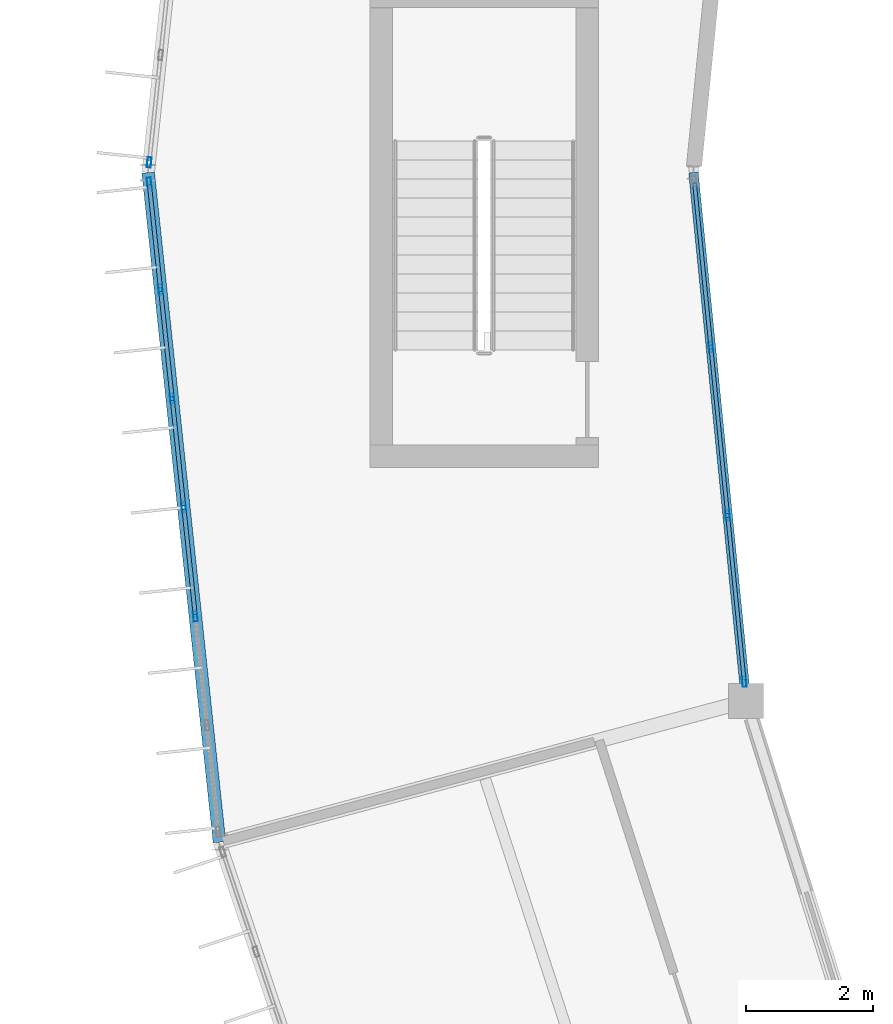
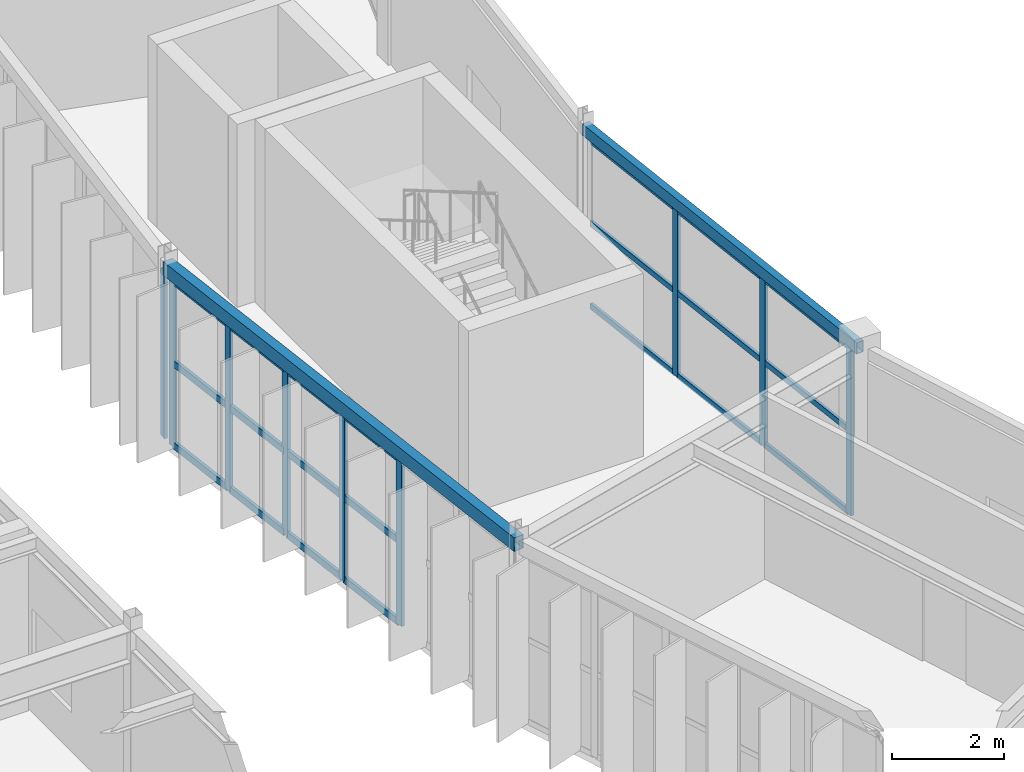
# One storey, part 51 of 157: 30 members, 2 beams, 3 elements without a shape of their own.
"""IFC4 building model written with IfcOpenShell, lengths in metres."""

from ifc_helpers import new_model, si_unit, direction, frame, origin, origin_2d, place, context, subcontext, project, spatial, hollow_rectangle, extrude, material, material_profile, profile_set, type_object, element, aggregate, save


model = new_model("IFC4")

# Units and contexts
model_context = context("Model", 3, precision=1e-05, world=origin(), true_north=direction((0.0, 1.0)))
body_context = subcontext(model_context, "Body", "Model", "MODEL_VIEW")
ifc_project = project(units=[si_unit("LENGTHUNIT", "METRE"), si_unit("AREAUNIT", "SQUARE_METRE"), si_unit("VOLUMEUNIT", "CUBIC_METRE"), si_unit("PLANEANGLEUNIT", "RADIAN"), si_unit("MASSUNIT", "GRAM", prefix="KILO")], contexts=[model_context])

# Site, building, storey
site_placement = place(None, origin())
site = spatial("IfcSite", under=ifc_project, at=site_placement, CompositionType="ELEMENT")
building_placement = place(site_placement, origin())
building = spatial("IfcBuilding", under=site, at=building_placement, Name="Karori Crest Natural Sciences Institute", CompositionType="ELEMENT")
storey_placement = place(building_placement, frame((0.0, 0.0, 13.300048828125)))
storey = spatial("IfcBuildingStorey", under=building, at=storey_placement, Name="L03", CompositionType="ELEMENT", Elevation=13.300048828125)

# Beams
ifc_material_1 = material(Name="Hollow structural steel AS/NZS 1163 Grade C350", Category="steel")
ifc_material_profile_1 = material_profile(ifc_material_1, hollow_rectangle(XDim=0.199951171875, YDim=0.300048828125, WallThickness=0.010009765625, at=origin_2d()), Name="RHS300x200x10")
ifc_profile_set_1 = profile_set([ifc_material_profile_1], Name="Hollow structural steel AS/NZS 1163 Grade C350")
beam_type_1 = type_object("IfcBeamType", Name="BT-15", PredefinedType="SPANDREL", material=ifc_profile_set_1)
beam_1_placement = place(storey_placement, frame((33.39990234375, 49.89990234375, 3.7900390625), z_axis=(0.105891010563, -0.994377742049, 0.0), x_axis=(0.994377742049, 0.105891010563, 0.0)))
element("IfcBeam", 1, at=beam_1_placement, inside=storey, type_object=beam_type_1, Name="Beam B-0406", PredefinedType="SPANDREL", context=body_context, shape_type="SweptSolid", body=[
    extrude(hollow_rectangle(XDim=0.199951171875, YDim=0.300048828125, WallThickness=0.010009765625, at=origin_2d()), origin(), (0.0, 0.0, 1.0), 10.61962890625),
])
ifc_material_profile_2 = material_profile(ifc_material_1, hollow_rectangle(XDim=0.14990234375, YDim=0.25, WallThickness=0.009033203125, at=origin_2d()), Name="RHS250x150x9")
ifc_profile_set_2 = profile_set([ifc_material_profile_2], Name="Hollow structural steel AS/NZS 1163 Grade C350")
beam_type_2 = type_object("IfcBeamType", Name="BT-16", PredefinedType="SPANDREL", material=ifc_profile_set_2)
beam_2_placement = place(storey_placement, frame((42.0, 49.89990234375, 3.7900390625), z_axis=(0.099255508608, -0.995061979985, 0.0), x_axis=(0.995061979985, 0.099255508608, 0.0)))
element("IfcBeam", 2, at=beam_2_placement, inside=storey, type_object=beam_type_2, Name="Beam B-0407", PredefinedType="SPANDREL", context=body_context, shape_type="SweptSolid", body=[
    extrude(hollow_rectangle(XDim=0.14990234375, YDim=0.25, WallThickness=0.009033203125, at=origin_2d()), origin(), (0.0, 0.0, 1.0), 8.375244140625),
])

# Curtain wall, member
ifc_material_2 = material(Name="Anodised architectural aluminium 6063-T6", Category="aluminium")
curtain_wall_type_1 = type_object("IfcCurtainWallType", Name="CWT-02", PredefinedType="NOTDEFINED", material=ifc_material_2)
curtain_wall_1_placement = place(storey_placement, origin())
curtain_wall_1 = element("IfcCurtainWall", 3, at=curtain_wall_1_placement, inside=storey, type_object=curtain_wall_type_1, Name="Curtain wall CW-0117", PredefinedType="NOTDEFINED")
ifc_material_profile_3 = material_profile(ifc_material_2, hollow_rectangle(XDim=0.06494140625, YDim=0.159912109375, WallThickness=0.00390625, at=origin_2d()), Name="CWM160x65x4")
ifc_profile_set_3 = profile_set([ifc_material_profile_3], Name="Anodised architectural aluminium 6063-T6")
member_type_1 = type_object("IfcMemberType", Name="CWM-01", PredefinedType="MULLION", material=ifc_profile_set_3)
member_1_placement = place(storey_placement, frame((33.4169921875, 50.060302734375, 0.0), z_axis=(0.0, 0.0, 1.0), x_axis=(-0.994378309998, 0.105885677057, 0.0)))
member_1 = element("IfcMember", 4, at=member_1_placement, type_object=member_type_1, Name="CW-0117 mullion 1", PredefinedType="MULLION", context=body_context, shape_type="SweptSolid", body=[
    extrude(hollow_rectangle(XDim=0.06494140625, YDim=0.159912109375, WallThickness=0.00390625, at=origin_2d()), origin(), (0.0, 0.0, 1.0), 3.625),
])
aggregate(curtain_wall_1, [member_1])

# Curtain wall, members
curtain_wall_type_2 = type_object("IfcCurtainWallType", Name="CWT-03", PredefinedType="NOTDEFINED", material=ifc_material_2)
curtain_wall_2_placement = place(storey_placement, origin())
curtain_wall_2 = element("IfcCurtainWall", 5, at=curtain_wall_2_placement, inside=storey, type_object=curtain_wall_type_2, Name="Curtain wall CW-0118", PredefinedType="NOTDEFINED")
member_2_placement = place(storey_placement, frame((34.145263671875, 42.90087890625, 0.0), z_axis=(0.0, 0.0, 1.0), x_axis=(-0.994378435661, -0.105884496939, 0.0)))
member_2 = element("IfcMember", 6, at=member_2_placement, type_object=member_type_1, Name="CW-0118 mullion 3", PredefinedType="MULLION", context=body_context, shape_type="SweptSolid", body=[
    extrude(hollow_rectangle(XDim=0.06494140625, YDim=0.159912109375, WallThickness=0.00390625, at=origin_2d()), origin(), (0.0, 0.0, 1.0), 3.625),
])
member_3_placement = place(storey_placement, frame((33.96240234375, 44.61865234375, 0.0), z_axis=(0.0, 0.0, 1.0), x_axis=(-0.994378435661, -0.105884496939, 0.0)))
member_3 = element("IfcMember", 7, at=member_3_placement, type_object=member_type_1, Name="CW-0118 mullion 4", PredefinedType="MULLION", context=body_context, shape_type="SweptSolid", body=[
    extrude(hollow_rectangle(XDim=0.06494140625, YDim=0.159912109375, WallThickness=0.00390625, at=origin_2d()), origin(), (0.0, 0.0, 1.0), 3.625),
])
member_4_placement = place(storey_placement, frame((33.779541015625, 46.33642578125, 0.0), z_axis=(0.0, 0.0, 1.0), x_axis=(-0.994378435661, -0.105884496939, 0.0)))
member_4 = element("IfcMember", 8, at=member_4_placement, type_object=member_type_1, Name="CW-0118 mullion 5", PredefinedType="MULLION", context=body_context, shape_type="SweptSolid", body=[
    extrude(hollow_rectangle(XDim=0.06494140625, YDim=0.159912109375, WallThickness=0.00390625, at=origin_2d()), origin(), (0.0, 0.0, 1.0), 3.625),
])
member_5_placement = place(storey_placement, frame((33.596435546875, 48.05419921875, 0.0), z_axis=(0.0, 0.0, 1.0), x_axis=(-0.994378435661, -0.105884496939, 0.0)))
member_5 = element("IfcMember", 9, at=member_5_placement, type_object=member_type_1, Name="CW-0118 mullion 6", PredefinedType="MULLION", context=body_context, shape_type="SweptSolid", body=[
    extrude(hollow_rectangle(XDim=0.06494140625, YDim=0.159912109375, WallThickness=0.00390625, at=origin_2d()), origin(), (0.0, 0.0, 1.0), 3.625),
])
member_6_placement = place(storey_placement, frame((33.4169921875, 49.73974609375, 0.0), z_axis=(0.0, 0.0, 1.0), x_axis=(-0.994378435661, -0.105884496939, 0.0)))
member_6 = element("IfcMember", 10, at=member_6_placement, type_object=member_type_1, Name="CW-0118 mullion 7", PredefinedType="MULLION", context=body_context, shape_type="SweptSolid", body=[
    extrude(hollow_rectangle(XDim=0.06494140625, YDim=0.159912109375, WallThickness=0.00390625, at=origin_2d()), origin(), (0.0, 0.0, 1.0), 3.625),
])

curtain_wall_type_3 = type_object("IfcCurtainWallType", Name="CWT-13", PredefinedType="NOTDEFINED", material=ifc_material_2)
curtain_wall_3_placement = place(storey_placement, origin())
curtain_wall_3 = element("IfcCurtainWall", 11, at=curtain_wall_3_placement, inside=storey, type_object=curtain_wall_type_3, Name="Curtain wall CW-0119", PredefinedType="NOTDEFINED")
member_7_placement = place(storey_placement, frame((42.27490234375, 47.144287109375, 0.0), z_axis=(0.0, 0.0, 1.0), x_axis=(0.995060684604, 0.099268494275, 0.0)))
member_7 = element("IfcMember", 12, at=member_7_placement, type_object=member_type_1, Name="CW-0119 mullion 2", PredefinedType="MULLION", context=body_context, shape_type="SweptSolid", body=[
    extrude(hollow_rectangle(XDim=0.06494140625, YDim=0.159912109375, WallThickness=0.00390625, at=origin_2d()), origin(), (0.0, 0.0, 1.0), 3.64990234375),
])
member_8_placement = place(storey_placement, frame((42.53955078125, 44.49169921875, 0.0), z_axis=(0.0, 0.0, 1.0), x_axis=(0.995060684604, 0.099268494275, 0.0)))
member_8 = element("IfcMember", 13, at=member_8_placement, type_object=member_type_1, Name="CW-0119 mullion 3", PredefinedType="MULLION", context=body_context, shape_type="SweptSolid", body=[
    extrude(hollow_rectangle(XDim=0.06494140625, YDim=0.159912109375, WallThickness=0.00390625, at=origin_2d()), origin(), (0.0, 0.0, 1.0), 3.64990234375),
])
member_9_placement = place(storey_placement, frame((42.801025390625, 41.871337890625, 0.0), z_axis=(0.0, 0.0, 1.0), x_axis=(0.995060684604, 0.099268494275, 0.0)))
member_9 = element("IfcMember", 14, at=member_9_placement, type_object=member_type_1, Name="CW-0119 mullion 4", PredefinedType="MULLION", context=body_context, shape_type="SweptSolid", body=[
    extrude(hollow_rectangle(XDim=0.06494140625, YDim=0.159912109375, WallThickness=0.00390625, at=origin_2d()), origin(), (0.0, 0.0, 1.0), 3.64990234375),
])
ifc_material_profile_4 = material_profile(ifc_material_2, hollow_rectangle(XDim=0.06005859375, YDim=0.1201171875, WallThickness=0.00390625, at=origin_2d()), Name="CWT120x60x4")
ifc_profile_set_4 = profile_set([ifc_material_profile_4], Name="Anodised architectural aluminium 6063-T6")
member_type_2 = type_object("IfcMemberType", Name="CWT-TR1", PredefinedType="USERDEFINED", material=ifc_profile_set_4)
member_10_placement = place(storey_placement, frame((42.016845703125, 49.732421875, 0.030029296875), z_axis=(0.099240189366, -0.99506350793, 0.0), x_axis=(0.99506350793, 0.099240189366, 0.0)))
member_10 = element("IfcMember", 15, at=member_10_placement, type_object=member_type_2, Name="CW-0119 transom 1.1", ObjectType="TRANSOM", PredefinedType="USERDEFINED", context=body_context, shape_type="SweptSolid", body=[
    extrude(hollow_rectangle(XDim=0.06005859375, YDim=0.1201171875, WallThickness=0.00390625, at=origin_2d()), origin(), (0.0, 0.0, 1.0), 2.568359375),
])
member_11_placement = place(storey_placement, frame((42.016845703125, 49.732421875, 1.824951171875), z_axis=(0.099240189366, -0.99506350793, 0.0), x_axis=(0.99506350793, 0.099240189366, 0.0)))
member_11 = element("IfcMember", 16, at=member_11_placement, type_object=member_type_2, Name="CW-0119 transom 1.2", ObjectType="TRANSOM", PredefinedType="USERDEFINED", context=body_context, shape_type="SweptSolid", body=[
    extrude(hollow_rectangle(XDim=0.06005859375, YDim=0.1201171875, WallThickness=0.00390625, at=origin_2d()), origin(), (0.0, 0.0, 1.0), 2.568359375),
])
member_12_placement = place(storey_placement, frame((42.016845703125, 49.732421875, 3.619873046875), z_axis=(0.099240189366, -0.99506350793, 0.0), x_axis=(0.99506350793, 0.099240189366, 0.0)))
member_12 = element("IfcMember", 17, at=member_12_placement, type_object=member_type_2, Name="CW-0119 transom 1.3", ObjectType="TRANSOM", PredefinedType="USERDEFINED", context=body_context, shape_type="SweptSolid", body=[
    extrude(hollow_rectangle(XDim=0.06005859375, YDim=0.1201171875, WallThickness=0.00390625, at=origin_2d()), origin(), (0.0, 0.0, 1.0), 2.568359375),
])
member_13_placement = place(storey_placement, frame((42.278076171875, 47.112060546875, 0.030029296875), z_axis=(0.099308553467, -0.995056687435, 0.0), x_axis=(0.995056687435, 0.099308553467, 0.0)))
member_13 = element("IfcMember", 18, at=member_13_placement, type_object=member_type_2, Name="CW-0119 transom 2.1", ObjectType="TRANSOM", PredefinedType="USERDEFINED", context=body_context, shape_type="SweptSolid", body=[
    extrude(hollow_rectangle(XDim=0.06005859375, YDim=0.1201171875, WallThickness=0.00390625, at=origin_2d()), origin(), (0.0, 0.0, 1.0), 2.60107421875),
])
member_14_placement = place(storey_placement, frame((42.278076171875, 47.112060546875, 1.824951171875), z_axis=(0.099308553467, -0.995056687435, 0.0), x_axis=(0.995056687435, 0.099308553467, 0.0)))
member_14 = element("IfcMember", 19, at=member_14_placement, type_object=member_type_2, Name="CW-0119 transom 2.2", ObjectType="TRANSOM", PredefinedType="USERDEFINED", context=body_context, shape_type="SweptSolid", body=[
    extrude(hollow_rectangle(XDim=0.06005859375, YDim=0.1201171875, WallThickness=0.00390625, at=origin_2d()), origin(), (0.0, 0.0, 1.0), 2.60107421875),
])
member_15_placement = place(storey_placement, frame((42.278076171875, 47.112060546875, 3.619873046875), z_axis=(0.099308553467, -0.995056687435, 0.0), x_axis=(0.995056687435, 0.099308553467, 0.0)))
member_15 = element("IfcMember", 20, at=member_15_placement, type_object=member_type_2, Name="CW-0119 transom 2.3", ObjectType="TRANSOM", PredefinedType="USERDEFINED", context=body_context, shape_type="SweptSolid", body=[
    extrude(hollow_rectangle(XDim=0.06005859375, YDim=0.1201171875, WallThickness=0.00390625, at=origin_2d()), origin(), (0.0, 0.0, 1.0), 2.60107421875),
])
member_16_placement = place(storey_placement, frame((42.542724609375, 44.459228515625, 0.030029296875), z_axis=(0.0993343095, -0.995054116597, 0.0), x_axis=(0.995054116597, 0.0993343095, 0.0)))
member_16 = element("IfcMember", 21, at=member_16_placement, type_object=member_type_2, Name="CW-0119 transom 3.1", ObjectType="TRANSOM", PredefinedType="USERDEFINED", context=body_context, shape_type="SweptSolid", body=[
    extrude(hollow_rectangle(XDim=0.06005859375, YDim=0.1201171875, WallThickness=0.00390625, at=origin_2d()), origin(), (0.0, 0.0, 1.0), 2.568359375),
])
member_17_placement = place(storey_placement, frame((42.542724609375, 44.459228515625, 1.824951171875), z_axis=(0.0993343095, -0.995054116597, 0.0), x_axis=(0.995054116597, 0.0993343095, 0.0)))
member_17 = element("IfcMember", 22, at=member_17_placement, type_object=member_type_2, Name="CW-0119 transom 3.2", ObjectType="TRANSOM", PredefinedType="USERDEFINED", context=body_context, shape_type="SweptSolid", body=[
    extrude(hollow_rectangle(XDim=0.06005859375, YDim=0.1201171875, WallThickness=0.00390625, at=origin_2d()), origin(), (0.0, 0.0, 1.0), 2.568359375),
])
member_18_placement = place(storey_placement, frame((42.542724609375, 44.459228515625, 3.619873046875), z_axis=(0.0993343095, -0.995054116597, 0.0), x_axis=(0.995054116597, 0.0993343095, 0.0)))
member_18 = element("IfcMember", 23, at=member_18_placement, type_object=member_type_2, Name="CW-0119 transom 3.3", ObjectType="TRANSOM", PredefinedType="USERDEFINED", context=body_context, shape_type="SweptSolid", body=[
    extrude(hollow_rectangle(XDim=0.06005859375, YDim=0.1201171875, WallThickness=0.00390625, at=origin_2d()), origin(), (0.0, 0.0, 1.0), 2.568359375),
])
aggregate(curtain_wall_3, [member_7, member_8, member_9, member_10, member_11, member_12, member_13, member_14, member_15, member_16, member_17, member_18])

# Member
ifc_material_profile_5 = material_profile(ifc_material_2, hollow_rectangle(XDim=0.06494140625, YDim=0.14990234375, WallThickness=0.00390625, at=origin_2d()), Name="CWT150x65x4")
ifc_profile_set_5 = profile_set([ifc_material_profile_5], Name="Anodised architectural aluminium 6063-T6")
member_type_3 = type_object("IfcMemberType", Name="CWT-TR2", PredefinedType="USERDEFINED", material=ifc_profile_set_5)
member_19_placement = place(storey_placement, frame((34.141845703125, 42.93310546875, 0.032470703125), z_axis=(-0.105884923842, 0.994378390203, 0.0), x_axis=(-0.994378390203, -0.105884923842, 0.0)))
member_19 = element("IfcMember", 24, at=member_19_placement, type_object=member_type_3, Name="CW-0118 transom 3.1", ObjectType="TRANSOM", PredefinedType="USERDEFINED", context=body_context, shape_type="SweptSolid", body=[
    extrude(hollow_rectangle(XDim=0.06494140625, YDim=0.14990234375, WallThickness=0.00390625, at=origin_2d()), origin(), (0.0, 0.0, 1.0), 1.662353515625),
])

member_20_placement = place(storey_placement, frame((34.141845703125, 42.93310546875, 1.8125), z_axis=(-0.105884923842, 0.994378390203, 0.0), x_axis=(-0.994378390203, -0.105884923842, 0.0)))
member_20 = element("IfcMember", 25, at=member_20_placement, type_object=member_type_3, Name="CW-0118 transom 3.2", ObjectType="TRANSOM", PredefinedType="USERDEFINED", context=body_context, shape_type="SweptSolid", body=[
    extrude(hollow_rectangle(XDim=0.06494140625, YDim=0.14990234375, WallThickness=0.00390625, at=origin_2d()), origin(), (0.0, 0.0, 1.0), 1.662353515625),
])

member_21_placement = place(storey_placement, frame((34.141845703125, 42.93310546875, 3.592529296875), z_axis=(-0.105884923842, 0.994378390203, 0.0), x_axis=(-0.994378390203, -0.105884923842, 0.0)))
member_21 = element("IfcMember", 26, at=member_21_placement, type_object=member_type_3, Name="CW-0118 transom 3.3", ObjectType="TRANSOM", PredefinedType="USERDEFINED", context=body_context, shape_type="SweptSolid", body=[
    extrude(hollow_rectangle(XDim=0.06494140625, YDim=0.14990234375, WallThickness=0.00390625, at=origin_2d()), origin(), (0.0, 0.0, 1.0), 1.662353515625),
])

member_22_placement = place(storey_placement, frame((33.958984375, 44.65087890625, 0.032470703125), z_axis=(-0.105869463411, 0.994380036363, 0.0), x_axis=(-0.994380036363, -0.105869463411, 0.0)))
member_22 = element("IfcMember", 27, at=member_22_placement, type_object=member_type_3, Name="CW-0118 transom 4.1", ObjectType="TRANSOM", PredefinedType="USERDEFINED", context=body_context, shape_type="SweptSolid", body=[
    extrude(hollow_rectangle(XDim=0.06494140625, YDim=0.14990234375, WallThickness=0.00390625, at=origin_2d()), origin(), (0.0, 0.0, 1.0), 1.66259765625),
])

member_23_placement = place(storey_placement, frame((33.958984375, 44.65087890625, 1.8125), z_axis=(-0.105869463411, 0.994380036363, 0.0), x_axis=(-0.994380036363, -0.105869463411, 0.0)))
member_23 = element("IfcMember", 28, at=member_23_placement, type_object=member_type_3, Name="CW-0118 transom 4.2", ObjectType="TRANSOM", PredefinedType="USERDEFINED", context=body_context, shape_type="SweptSolid", body=[
    extrude(hollow_rectangle(XDim=0.06494140625, YDim=0.14990234375, WallThickness=0.00390625, at=origin_2d()), origin(), (0.0, 0.0, 1.0), 1.66259765625),
])

member_24_placement = place(storey_placement, frame((33.958984375, 44.65087890625, 3.592529296875), z_axis=(-0.105869463411, 0.994380036363, 0.0), x_axis=(-0.994380036363, -0.105869463411, 0.0)))
member_24 = element("IfcMember", 29, at=member_24_placement, type_object=member_type_3, Name="CW-0118 transom 4.3", ObjectType="TRANSOM", PredefinedType="USERDEFINED", context=body_context, shape_type="SweptSolid", body=[
    extrude(hollow_rectangle(XDim=0.06494140625, YDim=0.14990234375, WallThickness=0.00390625, at=origin_2d()), origin(), (0.0, 0.0, 1.0), 1.66259765625),
])

member_25_placement = place(storey_placement, frame((33.77587890625, 46.36865234375, 0.032470703125), z_axis=(-0.105869463411, 0.994380036363, 0.0), x_axis=(-0.994380036363, -0.105869463411, 0.0)))
member_25 = element("IfcMember", 30, at=member_25_placement, type_object=member_type_3, Name="CW-0118 transom 5.1", ObjectType="TRANSOM", PredefinedType="USERDEFINED", context=body_context, shape_type="SweptSolid", body=[
    extrude(hollow_rectangle(XDim=0.06494140625, YDim=0.14990234375, WallThickness=0.00390625, at=origin_2d()), origin(), (0.0, 0.0, 1.0), 1.66259765625),
])

member_26_placement = place(storey_placement, frame((33.77587890625, 46.36865234375, 1.8125), z_axis=(-0.105869463411, 0.994380036363, 0.0), x_axis=(-0.994380036363, -0.105869463411, 0.0)))
member_26 = element("IfcMember", 31, at=member_26_placement, type_object=member_type_3, Name="CW-0118 transom 5.2", ObjectType="TRANSOM", PredefinedType="USERDEFINED", context=body_context, shape_type="SweptSolid", body=[
    extrude(hollow_rectangle(XDim=0.06494140625, YDim=0.14990234375, WallThickness=0.00390625, at=origin_2d()), origin(), (0.0, 0.0, 1.0), 1.66259765625),
])

member_27_placement = place(storey_placement, frame((33.77587890625, 46.36865234375, 3.592529296875), z_axis=(-0.105869463411, 0.994380036363, 0.0), x_axis=(-0.994380036363, -0.105869463411, 0.0)))
member_27 = element("IfcMember", 32, at=member_27_placement, type_object=member_type_3, Name="CW-0118 transom 5.3", ObjectType="TRANSOM", PredefinedType="USERDEFINED", context=body_context, shape_type="SweptSolid", body=[
    extrude(hollow_rectangle(XDim=0.06494140625, YDim=0.14990234375, WallThickness=0.00390625, at=origin_2d()), origin(), (0.0, 0.0, 1.0), 1.66259765625),
])

member_28_placement = place(storey_placement, frame((33.593017578125, 48.08642578125, 0.032470703125), z_axis=(-0.105893191658, 0.994377509782, 0.0), x_axis=(-0.994377509782, -0.105893191658, 0.0)))
member_28 = element("IfcMember", 33, at=member_28_placement, type_object=member_type_3, Name="CW-0118 transom 6.1", ObjectType="TRANSOM", PredefinedType="USERDEFINED", context=body_context, shape_type="SweptSolid", body=[
    extrude(hollow_rectangle(XDim=0.06494140625, YDim=0.14990234375, WallThickness=0.00390625, at=origin_2d()), origin(), (0.0, 0.0, 1.0), 1.630126953125),
])

member_29_placement = place(storey_placement, frame((33.593017578125, 48.08642578125, 1.8125), z_axis=(-0.105893191658, 0.994377509782, 0.0), x_axis=(-0.994377509782, -0.105893191658, 0.0)))
member_29 = element("IfcMember", 34, at=member_29_placement, type_object=member_type_3, Name="CW-0118 transom 6.2", ObjectType="TRANSOM", PredefinedType="USERDEFINED", context=body_context, shape_type="SweptSolid", body=[
    extrude(hollow_rectangle(XDim=0.06494140625, YDim=0.14990234375, WallThickness=0.00390625, at=origin_2d()), origin(), (0.0, 0.0, 1.0), 1.630126953125),
])

member_30_placement = place(storey_placement, frame((33.593017578125, 48.08642578125, 3.592529296875), z_axis=(-0.105893191658, 0.994377509782, 0.0), x_axis=(-0.994377509782, -0.105893191658, 0.0)))
member_30 = element("IfcMember", 35, at=member_30_placement, type_object=member_type_3, Name="CW-0118 transom 6.3", ObjectType="TRANSOM", PredefinedType="USERDEFINED", context=body_context, shape_type="SweptSolid", body=[
    extrude(hollow_rectangle(XDim=0.06494140625, YDim=0.14990234375, WallThickness=0.00390625, at=origin_2d()), origin(), (0.0, 0.0, 1.0), 1.630126953125),
])

aggregate(curtain_wall_2, [member_2, member_3, member_4, member_5, member_6, member_19, member_20, member_21, member_22, member_23, member_24, member_25, member_26, member_27, member_28, member_29, member_30])

save(model, "model.ifc")
